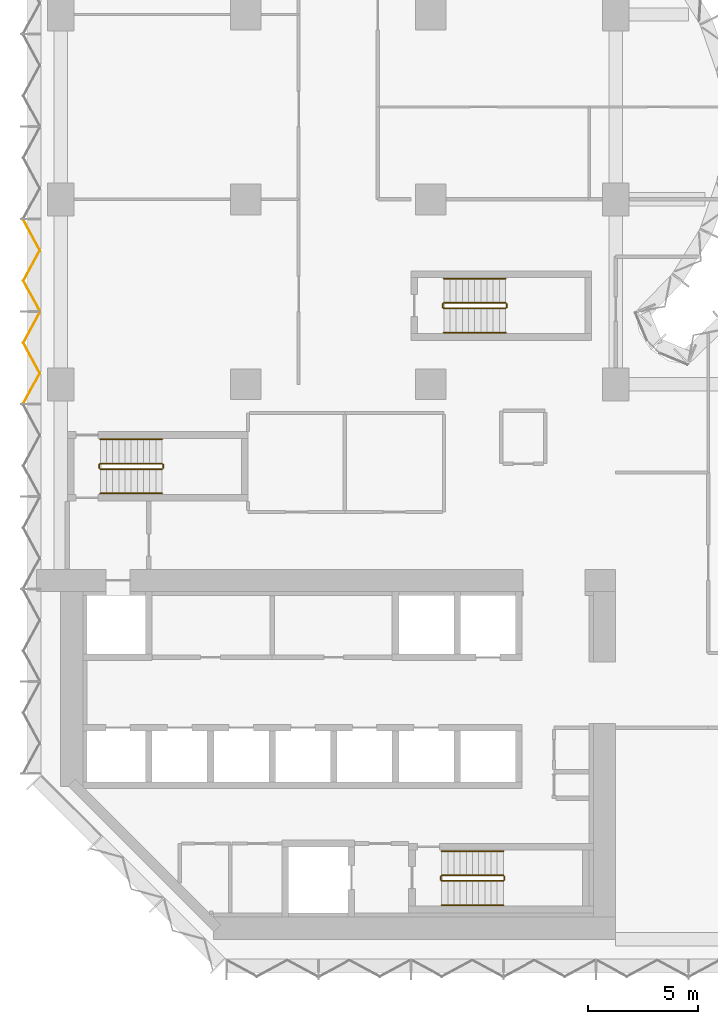
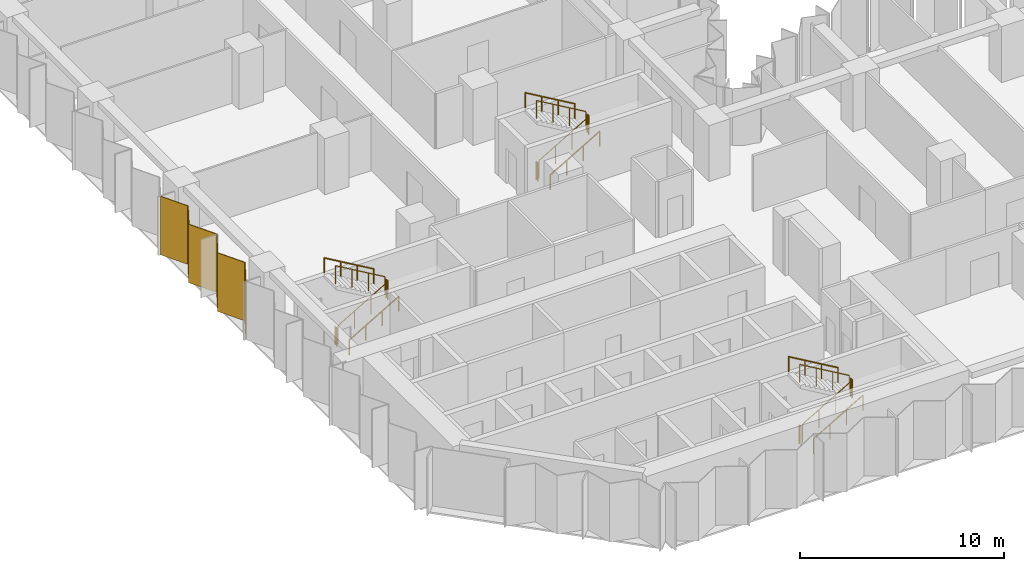
# One storey, part 13 of 15: 18 railings, 2 coverings, 1 element without a shape of its own.
"""IFC4 building model written with IfcOpenShell, lengths in metres."""

from ifc_helpers import new_model, si_unit, direction, frame, origin, origin_2d, place, context, subcontext, project, spatial, polyline, circle, outline, extrude, material, layer, layer_set, type_object, element, aggregate, save


model = new_model("IFC4")

# Units and contexts
model_context = context("Model", 3, precision=1e-05, world=origin(), true_north=direction((0.0, 1.0)))
body_context = subcontext(model_context, "Body", "Model", "MODEL_VIEW")
ifc_project = project(units=[si_unit("LENGTHUNIT", "METRE"), si_unit("AREAUNIT", "SQUARE_METRE"), si_unit("VOLUMEUNIT", "CUBIC_METRE"), si_unit("PLANEANGLEUNIT", "RADIAN"), si_unit("MASSUNIT", "GRAM", prefix="KILO")], contexts=[model_context])

# Site, building, storey
site_placement = place(None, origin())
site = spatial("IfcSite", under=ifc_project, at=site_placement, CompositionType="ELEMENT")
building_placement = place(site_placement, origin())
building = spatial("IfcBuilding", under=site, at=building_placement, Name="Brevane Broadcast Tower", CompositionType="ELEMENT")
storey_placement = place(building_placement, frame((0.0, 0.0, 68.89990234375)))
storey = spatial("IfcBuildingStorey", under=building, at=storey_placement, Name="L15", CompositionType="ELEMENT", Elevation=68.89990234375)

# Railings
ifc_material_1 = material(Name="Steel S355", Category="steel")
railing_type_1 = type_object("IfcRailingType", Name="Exit stair guard", PredefinedType="GUARDRAIL", material=ifc_material_1)
railing_1_placement = place(storey_placement, frame((1.800048828125, 21.35009765625, 0.163818359375)))
element("IfcRailing", 1, at=railing_1_placement, inside=storey, type_object=railing_type_1, Name="L15 ST-1 stair guard 1", PredefinedType="GUARDRAIL", context=body_context, shape_type="SweptSolid", body=[
    extrude(circle(Radius=0.02392578125, at=origin_2d()), frame((0.0, 0.0, 1.076171875), z_axis=(0.863393664356, 0.0, 0.504530851732), x_axis=(0.0, 1.0, 0.0)), (0.0, 0.0, 1.0), 3.2431640625),
    extrude(circle(Radius=0.02099609375, at=origin_2d()), origin(), (0.0, 0.0, 1.0), 1.052001953125),
    extrude(circle(Radius=0.02099609375, at=origin_2d()), frame((0.933349609375, 0.0, 0.54541015625)), (0.0, 0.0, 1.0), 1.052001953125),
    extrude(circle(Radius=0.02099609375, at=origin_2d()), frame((1.86669921875, 0.0, 1.0908203125)), (0.0, 0.0, 1.0), 1.052001953125),
    extrude(circle(Radius=0.02099609375, at=origin_2d()), frame((2.800048828125, 0.0, 1.63623046875)), (0.0, 0.0, 1.0), 1.052001953125),
])
railing_2_placement = place(storey_placement, frame((4.64990234375, 21.39990234375, 1.800048828125)))
element("IfcRailing", 2, at=railing_2_placement, inside=storey, type_object=railing_type_1, Name="L15 ST-1 stair guard 2", PredefinedType="GUARDRAIL", context=body_context, shape_type="SweptSolid", body=[
    extrude(circle(Radius=0.02392578125, at=origin_2d()), frame((0.0, 0.0, 1.076171875), z_axis=(0.0, 1.0, 0.0), x_axis=(-1.0, 0.0, 0.0)), (0.0, 0.0, 1.0), 0.150146484375),
    extrude(circle(Radius=0.02099609375, at=origin_2d()), origin(), (0.0, 0.0, 1.0), 1.052001953125),
    extrude(circle(Radius=0.02099609375, at=origin_2d()), frame((0.0, 0.150146484375, 0.0)), (0.0, 0.0, 1.0), 1.052001953125),
])
railing_3_placement = place(storey_placement, frame((4.60009765625, 21.60009765625, 1.963623046875)))
element("IfcRailing", 3, at=railing_3_placement, inside=storey, type_object=railing_type_1, Name="L15 ST-1 stair guard 3", PredefinedType="GUARDRAIL", context=body_context, shape_type="SweptSolid", body=[
    extrude(circle(Radius=0.02392578125, at=origin_2d()), frame((0.0, 0.0, 1.076171875), z_axis=(-0.863360870873, 0.0, 0.504586966384), x_axis=(0.0, -1.0, 0.0)), (0.0, 0.0, 1.0), 3.2431640625),
    extrude(circle(Radius=0.02099609375, at=origin_2d()), origin(), (0.0, 0.0, 1.0), 1.052001953125),
    extrude(circle(Radius=0.02099609375, at=origin_2d()), frame((-0.933349609375, 0.0, 0.54541015625)), (0.0, 0.0, 1.0), 1.052001953125),
    extrude(circle(Radius=0.02099609375, at=origin_2d()), frame((-1.86669921875, 0.0, 1.091064453125)), (0.0, 0.0, 1.0), 1.052001953125),
    extrude(circle(Radius=0.02099609375, at=origin_2d()), frame((-2.800048828125, 0.0, 1.636474609375)), (0.0, 0.0, 1.0), 1.052001953125),
])
railing_4_placement = place(storey_placement, frame((1.75, 21.39990234375, 0.0)))
element("IfcRailing", 4, at=railing_4_placement, inside=storey, type_object=railing_type_1, Name="L15 ST-1 stair guard 4", PredefinedType="GUARDRAIL", context=body_context, shape_type="SweptSolid", body=[
    extrude(circle(Radius=0.02392578125, at=origin_2d()), frame((0.0, 0.0, 1.076171875), z_axis=(0.0, 1.0, 0.0), x_axis=(-1.0, 0.0, 0.0)), (0.0, 0.0, 1.0), 0.150146484375),
    extrude(circle(Radius=0.02099609375, at=origin_2d()), origin(), (0.0, 0.0, 1.0), 1.052001953125),
    extrude(circle(Radius=0.02099609375, at=origin_2d()), frame((0.0, 0.150146484375, 0.0)), (0.0, 0.0, 1.0), 1.052001953125),
])
railing_5_placement = place(storey_placement, frame((17.300048828125, 2.64990234375, 0.163818359375)))
element("IfcRailing", 5, at=railing_5_placement, inside=storey, type_object=railing_type_1, Name="L15 ST-2 stair guard 1", PredefinedType="GUARDRAIL", context=body_context, shape_type="SweptSolid", body=[
    extrude(circle(Radius=0.02392578125, at=origin_2d()), frame((0.0, 0.0, 1.076171875), z_axis=(0.863393664356, 0.0, 0.504530851732), x_axis=(0.0, 1.0, 0.0)), (0.0, 0.0, 1.0), 3.2431640625),
    extrude(circle(Radius=0.02099609375, at=origin_2d()), origin(), (0.0, 0.0, 1.0), 1.052001953125),
    extrude(circle(Radius=0.02099609375, at=origin_2d()), frame((0.933349609375, 0.0, 0.54541015625)), (0.0, 0.0, 1.0), 1.052001953125),
    extrude(circle(Radius=0.02099609375, at=origin_2d()), frame((1.86669921875, 0.0, 1.0908203125)), (0.0, 0.0, 1.0), 1.052001953125),
    extrude(circle(Radius=0.02099609375, at=origin_2d()), frame((2.800048828125, 0.0, 1.63623046875)), (0.0, 0.0, 1.0), 1.052001953125),
])
railing_6_placement = place(storey_placement, frame((20.14990234375, 2.699951171875, 1.800048828125)))
element("IfcRailing", 6, at=railing_6_placement, inside=storey, type_object=railing_type_1, Name="L15 ST-2 stair guard 2", PredefinedType="GUARDRAIL", context=body_context, shape_type="SweptSolid", body=[
    extrude(circle(Radius=0.02392578125, at=origin_2d()), frame((0.0, 0.0, 1.076171875), z_axis=(0.0, 1.0, 0.0), x_axis=(-1.0, 0.0, 0.0)), (0.0, 0.0, 1.0), 0.150146484375),
    extrude(circle(Radius=0.02099609375, at=origin_2d()), origin(), (0.0, 0.0, 1.0), 1.052001953125),
    extrude(circle(Radius=0.02099609375, at=origin_2d()), frame((0.0, 0.150146484375, 0.0)), (0.0, 0.0, 1.0), 1.052001953125),
])
railing_7_placement = place(storey_placement, frame((20.10009765625, 2.89990234375, 1.963623046875)))
element("IfcRailing", 7, at=railing_7_placement, inside=storey, type_object=railing_type_1, Name="L15 ST-2 stair guard 3", PredefinedType="GUARDRAIL", context=body_context, shape_type="SweptSolid", body=[
    extrude(circle(Radius=0.02392578125, at=origin_2d()), frame((0.0, 0.0, 1.076171875), z_axis=(-0.863360870873, 0.0, 0.504586966384), x_axis=(0.0, -1.0, 0.0)), (0.0, 0.0, 1.0), 3.2431640625),
    extrude(circle(Radius=0.02099609375, at=origin_2d()), origin(), (0.0, 0.0, 1.0), 1.052001953125),
    extrude(circle(Radius=0.02099609375, at=origin_2d()), frame((-0.933349609375, 0.0, 0.54541015625)), (0.0, 0.0, 1.0), 1.052001953125),
    extrude(circle(Radius=0.02099609375, at=origin_2d()), frame((-1.86669921875, 0.0, 1.091064453125)), (0.0, 0.0, 1.0), 1.052001953125),
    extrude(circle(Radius=0.02099609375, at=origin_2d()), frame((-2.800048828125, 0.0, 1.636474609375)), (0.0, 0.0, 1.0), 1.052001953125),
])
railing_8_placement = place(storey_placement, frame((17.25, 2.699951171875, 0.0)))
element("IfcRailing", 8, at=railing_8_placement, inside=storey, type_object=railing_type_1, Name="L15 ST-2 stair guard 4", PredefinedType="GUARDRAIL", context=body_context, shape_type="SweptSolid", body=[
    extrude(circle(Radius=0.02392578125, at=origin_2d()), frame((0.0, 0.0, 1.076171875), z_axis=(0.0, 1.0, 0.0), x_axis=(-1.0, 0.0, 0.0)), (0.0, 0.0, 1.0), 0.150146484375),
    extrude(circle(Radius=0.02099609375, at=origin_2d()), origin(), (0.0, 0.0, 1.0), 1.052001953125),
    extrude(circle(Radius=0.02099609375, at=origin_2d()), frame((0.0, 0.150146484375, 0.0)), (0.0, 0.0, 1.0), 1.052001953125),
])
railing_9_placement = place(storey_placement, frame((17.39990234375, 28.64990234375, 0.163818359375)))
element("IfcRailing", 9, at=railing_9_placement, inside=storey, type_object=railing_type_1, Name="L15 ST-3 stair guard 1", PredefinedType="GUARDRAIL", context=body_context, shape_type="SweptSolid", body=[
    extrude(circle(Radius=0.02392578125, at=origin_2d()), frame((0.0, 0.0, 1.076171875), z_axis=(0.863393664356, 0.0, 0.504530851732), x_axis=(0.0, 1.0, 0.0)), (0.0, 0.0, 1.0), 3.2431640625),
    extrude(circle(Radius=0.02099609375, at=origin_2d()), origin(), (0.0, 0.0, 1.0), 1.052001953125),
    extrude(circle(Radius=0.02099609375, at=origin_2d()), frame((0.933349609375, 0.0, 0.54541015625)), (0.0, 0.0, 1.0), 1.052001953125),
    extrude(circle(Radius=0.02099609375, at=origin_2d()), frame((1.86669921875, 0.0, 1.0908203125)), (0.0, 0.0, 1.0), 1.052001953125),
    extrude(circle(Radius=0.02099609375, at=origin_2d()), frame((2.800048828125, 0.0, 1.63623046875)), (0.0, 0.0, 1.0), 1.052001953125),
])
railing_10_placement = place(storey_placement, frame((20.25, 28.699951171875, 1.800048828125)))
element("IfcRailing", 10, at=railing_10_placement, inside=storey, type_object=railing_type_1, Name="L15 ST-3 stair guard 2", PredefinedType="GUARDRAIL", context=body_context, shape_type="SweptSolid", body=[
    extrude(circle(Radius=0.02392578125, at=origin_2d()), frame((0.0, 0.0, 1.076171875), z_axis=(0.0, 1.0, 0.0), x_axis=(-1.0, 0.0, 0.0)), (0.0, 0.0, 1.0), 0.150146484375),
    extrude(circle(Radius=0.02099609375, at=origin_2d()), origin(), (0.0, 0.0, 1.0), 1.052001953125),
    extrude(circle(Radius=0.02099609375, at=origin_2d()), frame((0.0, 0.150146484375, 0.0)), (0.0, 0.0, 1.0), 1.052001953125),
])
railing_11_placement = place(storey_placement, frame((20.199951171875, 28.89990234375, 1.963623046875)))
element("IfcRailing", 11, at=railing_11_placement, inside=storey, type_object=railing_type_1, Name="L15 ST-3 stair guard 3", PredefinedType="GUARDRAIL", context=body_context, shape_type="SweptSolid", body=[
    extrude(circle(Radius=0.02392578125, at=origin_2d()), frame((0.0, 0.0, 1.076171875), z_axis=(-0.863360870873, 0.0, 0.504586966384), x_axis=(0.0, -1.0, 0.0)), (0.0, 0.0, 1.0), 3.2431640625),
    extrude(circle(Radius=0.02099609375, at=origin_2d()), origin(), (0.0, 0.0, 1.0), 1.052001953125),
    extrude(circle(Radius=0.02099609375, at=origin_2d()), frame((-0.933349609375, 0.0, 0.54541015625)), (0.0, 0.0, 1.0), 1.052001953125),
    extrude(circle(Radius=0.02099609375, at=origin_2d()), frame((-1.86669921875, 0.0, 1.091064453125)), (0.0, 0.0, 1.0), 1.052001953125),
    extrude(circle(Radius=0.02099609375, at=origin_2d()), frame((-2.800048828125, 0.0, 1.636474609375)), (0.0, 0.0, 1.0), 1.052001953125),
])
railing_12_placement = place(storey_placement, frame((17.35009765625, 28.699951171875, 0.0)))
element("IfcRailing", 12, at=railing_12_placement, inside=storey, type_object=railing_type_1, Name="L15 ST-3 stair guard 4", PredefinedType="GUARDRAIL", context=body_context, shape_type="SweptSolid", body=[
    extrude(circle(Radius=0.02392578125, at=origin_2d()), frame((0.0, 0.0, 1.076171875), z_axis=(0.0, 1.0, 0.0), x_axis=(-1.0, 0.0, 0.0)), (0.0, 0.0, 1.0), 0.150146484375),
    extrude(circle(Radius=0.02099609375, at=origin_2d()), origin(), (0.0, 0.0, 1.0), 1.052001953125),
    extrude(circle(Radius=0.02099609375, at=origin_2d()), frame((0.0, 0.150146484375, 0.0)), (0.0, 0.0, 1.0), 1.052001953125),
])
railing_type_2 = type_object("IfcRailingType", Name="Exit stair handrail", PredefinedType="HANDRAIL", material=ifc_material_1)
railing_13_placement = place(storey_placement, frame((1.800048828125, 20.25, 0.163818359375)))
element("IfcRailing", 13, at=railing_13_placement, inside=storey, type_object=railing_type_2, Name="L15 ST-1 stair handrail 1", PredefinedType="HANDRAIL", context=body_context, shape_type="SweptSolid", body=[
    extrude(circle(Radius=0.02392578125, at=origin_2d()), frame((0.0, 0.0, 0.8759765625), z_axis=(0.863393664356, 0.0, 0.504530851732), x_axis=(0.0, 1.0, 0.0)), (0.0, 0.0, 1.0), 3.2431640625),
    extrude(circle(Radius=0.02099609375, at=origin_2d()), origin(), (0.0, 0.0, 1.0), 0.851806640625),
    extrude(circle(Radius=0.02099609375, at=origin_2d()), frame((0.933349609375, 0.0, 0.54541015625)), (0.0, 0.0, 1.0), 0.851806640625),
    extrude(circle(Radius=0.02099609375, at=origin_2d()), frame((1.86669921875, 0.0, 1.0908203125)), (0.0, 0.0, 1.0), 0.851806640625),
    extrude(circle(Radius=0.02099609375, at=origin_2d()), frame((2.800048828125, 0.0, 1.63623046875)), (0.0, 0.0, 1.0), 0.851806640625),
])
railing_14_placement = place(storey_placement, frame((4.60009765625, 22.699951171875, 1.963623046875)))
element("IfcRailing", 14, at=railing_14_placement, inside=storey, type_object=railing_type_2, Name="L15 ST-1 stair handrail 2", PredefinedType="HANDRAIL", context=body_context, shape_type="SweptSolid", body=[
    extrude(circle(Radius=0.02392578125, at=origin_2d()), frame((0.0, 0.0, 0.8759765625), z_axis=(-0.863360870873, 0.0, 0.504586966384), x_axis=(0.0, -1.0, 0.0)), (0.0, 0.0, 1.0), 3.2431640625),
    extrude(circle(Radius=0.02099609375, at=origin_2d()), origin(), (0.0, 0.0, 1.0), 0.851806640625),
    extrude(circle(Radius=0.02099609375, at=origin_2d()), frame((-0.933349609375, 0.0, 0.54541015625)), (0.0, 0.0, 1.0), 0.851806640625),
    extrude(circle(Radius=0.02099609375, at=origin_2d()), frame((-1.86669921875, 0.0, 1.091064453125)), (0.0, 0.0, 1.0), 0.851806640625),
    extrude(circle(Radius=0.02099609375, at=origin_2d()), frame((-2.800048828125, 0.0, 1.636474609375)), (0.0, 0.0, 1.0), 0.851806640625),
])
railing_15_placement = place(storey_placement, frame((17.300048828125, 1.550048828125, 0.163818359375)))
element("IfcRailing", 15, at=railing_15_placement, inside=storey, type_object=railing_type_2, Name="L15 ST-2 stair handrail 1", PredefinedType="HANDRAIL", context=body_context, shape_type="SweptSolid", body=[
    extrude(circle(Radius=0.02392578125, at=origin_2d()), frame((0.0, 0.0, 0.8759765625), z_axis=(0.863393664356, 0.0, 0.504530851732), x_axis=(0.0, 1.0, 0.0)), (0.0, 0.0, 1.0), 3.2431640625),
    extrude(circle(Radius=0.02099609375, at=origin_2d()), origin(), (0.0, 0.0, 1.0), 0.851806640625),
    extrude(circle(Radius=0.02099609375, at=origin_2d()), frame((0.933349609375, 0.0, 0.54541015625)), (0.0, 0.0, 1.0), 0.851806640625),
    extrude(circle(Radius=0.02099609375, at=origin_2d()), frame((1.86669921875, 0.0, 1.0908203125)), (0.0, 0.0, 1.0), 0.851806640625),
    extrude(circle(Radius=0.02099609375, at=origin_2d()), frame((2.800048828125, 0.0, 1.63623046875)), (0.0, 0.0, 1.0), 0.851806640625),
])
railing_16_placement = place(storey_placement, frame((20.10009765625, 4.0, 1.963623046875)))
element("IfcRailing", 16, at=railing_16_placement, inside=storey, type_object=railing_type_2, Name="L15 ST-2 stair handrail 2", PredefinedType="HANDRAIL", context=body_context, shape_type="SweptSolid", body=[
    extrude(circle(Radius=0.02392578125, at=origin_2d()), frame((0.0, 0.0, 0.8759765625), z_axis=(-0.863360870873, 0.0, 0.504586966384), x_axis=(0.0, -1.0, 0.0)), (0.0, 0.0, 1.0), 3.2431640625),
    extrude(circle(Radius=0.02099609375, at=origin_2d()), origin(), (0.0, 0.0, 1.0), 0.851806640625),
    extrude(circle(Radius=0.02099609375, at=origin_2d()), frame((-0.933349609375, 0.0, 0.54541015625)), (0.0, 0.0, 1.0), 0.851806640625),
    extrude(circle(Radius=0.02099609375, at=origin_2d()), frame((-1.86669921875, 0.0, 1.091064453125)), (0.0, 0.0, 1.0), 0.851806640625),
    extrude(circle(Radius=0.02099609375, at=origin_2d()), frame((-2.800048828125, 0.0, 1.636474609375)), (0.0, 0.0, 1.0), 0.851806640625),
])
railing_17_placement = place(storey_placement, frame((17.39990234375, 27.550048828125, 0.163818359375)))
element("IfcRailing", 17, at=railing_17_placement, inside=storey, type_object=railing_type_2, Name="L15 ST-3 stair handrail 1", PredefinedType="HANDRAIL", context=body_context, shape_type="SweptSolid", body=[
    extrude(circle(Radius=0.02392578125, at=origin_2d()), frame((0.0, 0.0, 0.8759765625), z_axis=(0.863393664356, 0.0, 0.504530851732), x_axis=(0.0, 1.0, 0.0)), (0.0, 0.0, 1.0), 3.2431640625),
    extrude(circle(Radius=0.02099609375, at=origin_2d()), origin(), (0.0, 0.0, 1.0), 0.851806640625),
    extrude(circle(Radius=0.02099609375, at=origin_2d()), frame((0.933349609375, 0.0, 0.54541015625)), (0.0, 0.0, 1.0), 0.851806640625),
    extrude(circle(Radius=0.02099609375, at=origin_2d()), frame((1.86669921875, 0.0, 1.0908203125)), (0.0, 0.0, 1.0), 0.851806640625),
    extrude(circle(Radius=0.02099609375, at=origin_2d()), frame((2.800048828125, 0.0, 1.63623046875)), (0.0, 0.0, 1.0), 0.851806640625),
])
railing_18_placement = place(storey_placement, frame((20.199951171875, 30.0, 1.963623046875)))
element("IfcRailing", 18, at=railing_18_placement, inside=storey, type_object=railing_type_2, Name="L15 ST-3 stair handrail 2", PredefinedType="HANDRAIL", context=body_context, shape_type="SweptSolid", body=[
    extrude(circle(Radius=0.02392578125, at=origin_2d()), frame((0.0, 0.0, 0.8759765625), z_axis=(-0.863360870873, 0.0, 0.504586966384), x_axis=(0.0, -1.0, 0.0)), (0.0, 0.0, 1.0), 3.2431640625),
    extrude(circle(Radius=0.02099609375, at=origin_2d()), origin(), (0.0, 0.0, 1.0), 0.851806640625),
    extrude(circle(Radius=0.02099609375, at=origin_2d()), frame((-0.933349609375, 0.0, 0.54541015625)), (0.0, 0.0, 1.0), 0.851806640625),
    extrude(circle(Radius=0.02099609375, at=origin_2d()), frame((-1.86669921875, 0.0, 1.091064453125)), (0.0, 0.0, 1.0), 0.851806640625),
    extrude(circle(Radius=0.02099609375, at=origin_2d()), frame((-2.800048828125, 0.0, 1.636474609375)), (0.0, 0.0, 1.0), 0.851806640625),
])

# Curtain wall, coverings
ifc_material_2 = material(Name="Aluminium 6063-T6 bronze anodised", Category="aluminium")
curtain_wall_type = type_object("IfcCurtainWallType", Name="CW-1 curtain wall", PredefinedType="NOTDEFINED", material=ifc_material_2)
curtain_wall_placement = place(storey_placement, origin())
curtain_wall = element("IfcCurtainWall", 19, at=curtain_wall_placement, inside=storey, type_object=curtain_wall_type, Name="CW-1 typical tilted unit L15 west face", PredefinedType="NOTDEFINED")
ifc_material_3 = material(Name="Back-painted bronze glass shadow-box", Category="glass")
ifc_layer = layer(ifc_material_3, 0.0400390625)
ifc_layer_set = layer_set([ifc_layer], Name="Shadow-box panel 40")
covering_type = type_object("IfcCoveringType", Name="Shadow-box panel 40", PredefinedType="CLADDING", material=ifc_layer_set)
covering_1_placement = place(storey_placement, frame((0.0, 0.0, -0.14990234375)))
covering_1 = element("IfcCovering", 20, at=covering_1_placement, type_object=covering_type, Name="Shadow-box panel", PredefinedType="CLADDING", context=body_context, shape_type="SweptSolid", body=[
    extrude(outline(polyline([(-1.671630859375, 32.6650390625), (-1.717041015625, 32.6650390625), (-0.97265625, 31.288330078125), (-1.717041015625, 29.91162109375), (-0.97265625, 28.534912109375), (-0.92724609375, 28.534912109375), (-1.671630859375, 29.91162109375), (-0.92724609375, 31.288330078125), (-1.671630859375, 32.6650390625)])), origin(), (0.0, 0.0, 1.0), 3.5),
])
covering_2_placement = place(storey_placement, frame((0.0, 0.0, -0.14990234375)))
covering_2 = element("IfcCovering", 21, at=covering_2_placement, type_object=covering_type, Name="Shadow-box panel", PredefinedType="CLADDING", context=body_context, shape_type="SweptSolid", body=[
    extrude(outline(polyline([(-0.92724609375, 28.465087890625), (-0.97265625, 28.465087890625), (-1.717041015625, 27.08837890625), (-0.97265625, 25.711669921875), (-1.717041015625, 24.3349609375), (-1.671630859375, 24.3349609375), (-0.92724609375, 25.711669921875), (-1.671630859375, 27.08837890625), (-0.92724609375, 28.465087890625)])), origin(), (0.0, 0.0, 1.0), 3.5),
])
aggregate(curtain_wall, [covering_1, covering_2])

save(model, "model.ifc")
